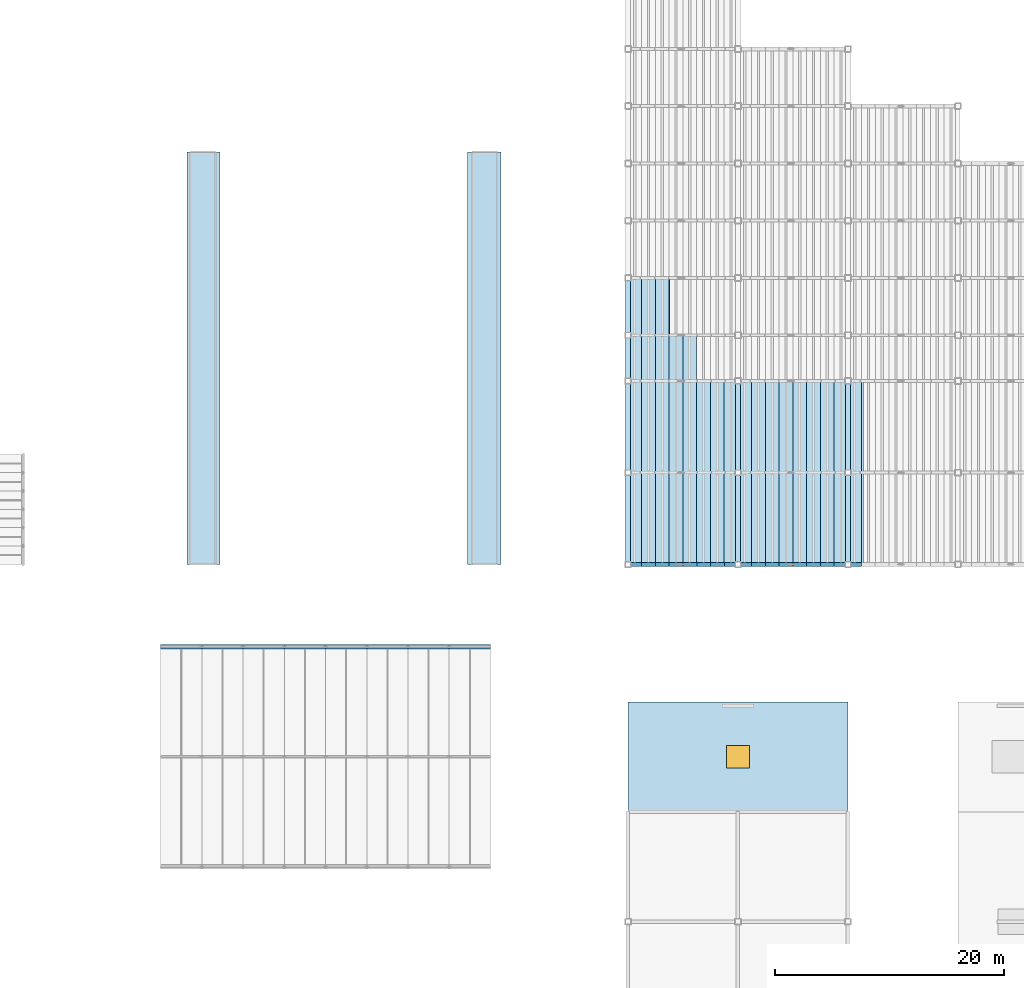
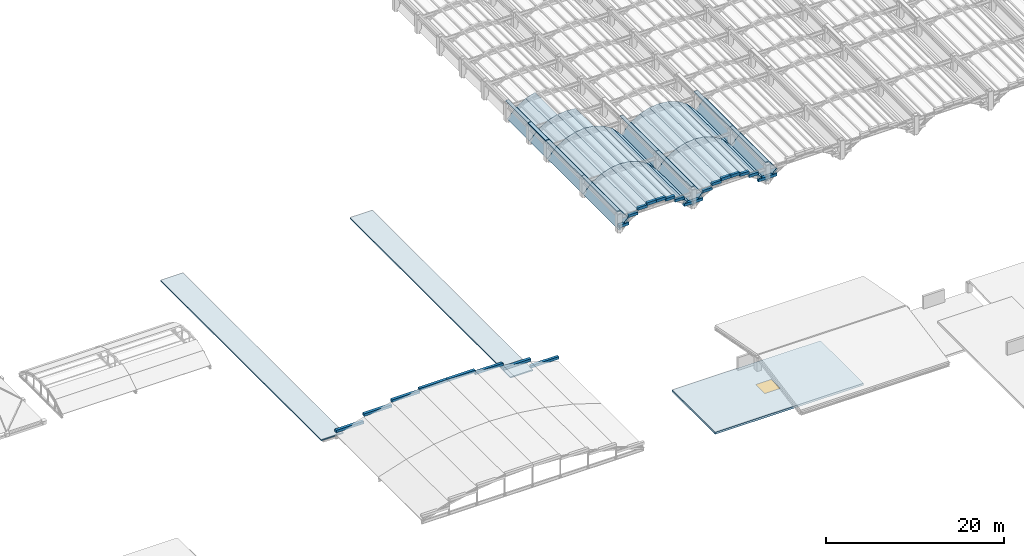
# One storey, part 32 of 70: 45 slabs, 33 plates, 1 window, 1 opening.
"""IFC4 building model written with IfcOpenShell, lengths in metres."""

from ifc_helpers import new_model, si_unit, direction, frame, origin, origin_2d, place, context, subcontext, project, spatial, polyline, rectangle, outline, extrude, material, layer, layer_set, type_object, element, fill, save


model = new_model("IFC4")

# Units and contexts
model_context = context("Model", 3, precision=1e-05, world=origin(), true_north=direction((0.0, 1.0)))
body_context = subcontext(model_context, "Body", "Model", "MODEL_VIEW")
ifc_project = project(units=[si_unit("LENGTHUNIT", "METRE"), si_unit("AREAUNIT", "SQUARE_METRE"), si_unit("VOLUMEUNIT", "CUBIC_METRE"), si_unit("PLANEANGLEUNIT", "RADIAN"), si_unit("MASSUNIT", "GRAM", prefix="KILO")], contexts=[model_context])

# Site, building, storey
site_placement = place(None, origin())
site = spatial("IfcSite", under=ifc_project, at=site_placement, CompositionType="ELEMENT")
building_placement = place(site_placement, origin())
building = spatial("IfcBuilding", under=site, at=building_placement, Name="Mavantir Sound Aquarium", CompositionType="ELEMENT")
storey_placement = place(building_placement, frame((0.0, 0.0, 27.0)))
storey = spatial("IfcBuildingStorey", under=building, at=storey_placement, Name="RF", CompositionType="ELEMENT", Elevation=27.0)

# Plates
ifc_material_1 = material(Name="Patinated Bronze-Copper Architectural Fascia", Category="metal")
ifc_layer_1 = layer(ifc_material_1, 0.179931640625, Name="Patinated Bronze-Copper Architectural Fascia")
ifc_layer_set_1 = layer_set([ifc_layer_1], Name="Patinated Bronze-Copper Architectural Fascia")
plate_type = type_object("IfcPlateType", Name="PLT-FASCIA-BZ", PredefinedType="SHEET", material=ifc_layer_set_1)
for number, where, z_axis, x_axis, name in (
    (1, (108.0, 44.800048828125, -4.52001953125), (0.0, 0.0, 1.0), (1.0, 0.0, 0.0), "Scalloped roof bronze ridge fascia 1"),
    (2, (108.0, 52.800048828125, -4.52001953125), (0.0, 0.0, 1.0), (1.0, 0.0, 0.0), "Scalloped roof bronze ridge fascia 2"),
):
    element("IfcPlate", number, at=place(storey_placement, frame(where, z_axis=z_axis, x_axis=x_axis)), inside=storey, type_object=plate_type, Name=name, PredefinedType="SHEET", context=body_context, shape_type="SweptSolid", body=[
        extrude(rectangle(XDim=0.419921875, YDim=8.0, at=origin_2d()), origin(), (0.0, 0.0, 1.0), 0.139892578125),
    ])
plate_1_placement = place(storey_placement, frame((108.0, 58.800048828125, -4.52001953125), z_axis=(0.0, 0.0, 1.0), x_axis=(1.0, 0.0, 0.0)))
element("IfcPlate", 3, at=plate_1_placement, inside=storey, type_object=plate_type, Name="Scalloped roof bronze ridge fascia 3", PredefinedType="SHEET", context=body_context, shape_type="SweptSolid", body=[
    extrude(rectangle(XDim=0.419921875, YDim=4.0, at=origin_2d()), origin(), (0.0, 0.0, 1.0), 0.139892578125),
])
plate_2_placement = place(storey_placement, frame((108.0, 63.300048828125, -4.52001953125), z_axis=(0.0, 0.0, 1.0), x_axis=(1.0, 0.0, 0.0)))
element("IfcPlate", 4, at=plate_2_placement, inside=storey, type_object=plate_type, Name="Scalloped roof bronze ridge fascia 4", PredefinedType="SHEET", context=body_context, shape_type="SweptSolid", body=[
    extrude(rectangle(XDim=0.419921875, YDim=5.0, at=origin_2d()), origin(), (0.0, 0.0, 1.0), 0.139892578125),
])
for number, where, z_axis, x_axis, name in (
    (5, (117.60009765625, 44.800048828125, -4.52001953125), (0.0, 0.0, 1.0), (1.0, 0.0, 0.0), "Scalloped roof bronze ridge fascia 10"),
    (6, (117.60009765625, 52.800048828125, -4.52001953125), (0.0, 0.0, 1.0), (1.0, 0.0, 0.0), "Scalloped roof bronze ridge fascia 11"),
    (7, (127.199951171875, 44.800048828125, -4.52001953125), (0.0, 0.0, 1.0), (1.0, 0.0, 0.0), "Scalloped roof bronze ridge fascia 19"),
    (8, (127.199951171875, 52.800048828125, -4.52001953125), (0.0, 0.0, 1.0), (1.0, 0.0, 0.0), "Scalloped roof bronze ridge fascia 20"),
):
    element("IfcPlate", number, at=place(storey_placement, frame(where, z_axis=z_axis, x_axis=x_axis)), inside=storey, type_object=plate_type, Name=name, PredefinedType="SHEET", context=body_context, shape_type="SweptSolid", body=[
        extrude(rectangle(XDim=0.419921875, YDim=8.0, at=origin_2d()), origin(), (0.0, 0.0, 1.0), 0.139892578125),
    ])
for number, where, z_axis, x_axis, name in (
    (9, (108.60009765625, 40.800048828125, -6.638671875), (0.0, 0.0, 1.0), (1.0, 0.0, 0.0), "Scalloped bay 1 curved bronze end fascia 52"),
    (10, (109.800048828125, 40.800048828125, -5.6455078125), (0.0, 0.0, 1.0), (1.0, 0.0, 0.0), "Scalloped bay 1 curved bronze end fascia 53"),
    (11, (111.0, 40.800048828125, -5.08935546875), (0.0, 0.0, 1.0), (1.0, 0.0, 0.0), "Scalloped bay 1 curved bronze end fascia 54"),
    (12, (112.199951171875, 40.800048828125, -4.83203125), (0.0, 0.0, 1.0), (1.0, 0.0, 0.0), "Scalloped bay 1 curved bronze end fascia 55"),
    (13, (113.39990234375, 40.800048828125, -4.83203125), (0.0, 0.0, 1.0), (1.0, 0.0, 0.0), "Scalloped bay 1 curved bronze end fascia 56"),
    (14, (114.60009765625, 40.800048828125, -5.08935546875), (0.0, 0.0, 1.0), (1.0, 0.0, 0.0), "Scalloped bay 1 curved bronze end fascia 57"),
    (15, (115.800048828125, 40.800048828125, -5.6455078125), (0.0, 0.0, 1.0), (1.0, 0.0, 0.0), "Scalloped bay 1 curved bronze end fascia 58"),
    (16, (117.0, 40.800048828125, -6.638671875), (0.0, 0.0, 1.0), (1.0, 0.0, 0.0), "Scalloped bay 1 curved bronze end fascia 59"),
    (17, (118.199951171875, 40.800048828125, -6.638671875), (0.0, 0.0, 1.0), (1.0, 0.0, 0.0), "Scalloped bay 2 curved bronze end fascia 68"),
    (18, (119.39990234375, 40.800048828125, -5.6455078125), (0.0, 0.0, 1.0), (1.0, 0.0, 0.0), "Scalloped bay 2 curved bronze end fascia 69"),
    (19, (120.60009765625, 40.800048828125, -5.08935546875), (0.0, 0.0, 1.0), (1.0, 0.0, 0.0), "Scalloped bay 2 curved bronze end fascia 70"),
    (20, (121.800048828125, 40.800048828125, -4.83203125), (0.0, 0.0, 1.0), (1.0, 0.0, 0.0), "Scalloped bay 2 curved bronze end fascia 71"),
    (21, (123.0, 40.800048828125, -4.83203125), (0.0, 0.0, 1.0), (1.0, 0.0, 0.0), "Scalloped bay 2 curved bronze end fascia 72"),
    (22, (124.199951171875, 40.800048828125, -5.08935546875), (0.0, 0.0, 1.0), (1.0, 0.0, 0.0), "Scalloped bay 2 curved bronze end fascia 73"),
    (23, (125.39990234375, 40.800048828125, -5.6455078125), (0.0, 0.0, 1.0), (1.0, 0.0, 0.0), "Scalloped bay 2 curved bronze end fascia 74"),
    (24, (126.60009765625, 40.800048828125, -6.638671875), (0.0, 0.0, 1.0), (1.0, 0.0, 0.0), "Scalloped bay 2 curved bronze end fascia 75"),
    (25, (127.800048828125, 40.800048828125, -6.638671875), (0.0, 0.0, 1.0), (1.0, 0.0, 0.0), "Scalloped bay 3 curved bronze end fascia 84"),
):
    element("IfcPlate", number, at=place(storey_placement, frame(where, z_axis=z_axis, x_axis=x_axis)), inside=storey, type_object=plate_type, Name=name, PredefinedType="SHEET", context=body_context, shape_type="SweptSolid", body=[
        extrude(rectangle(XDim=1.219970703125, YDim=0.360107421875, at=origin_2d()), origin(), (0.0, 0.0, 1.0), 0.360107421875),
    ])
for number, where, z_axis, x_axis, name in (
    (26, (69.0, 33.60009765625, -16.0107421875), (0.0, 0.0, 1.0), (1.0, 0.0, 0.0), "Forecourt entry vault bronze fascia 172"),
    (27, (72.60009765625, 33.60009765625, -15.02783203125), (0.0, 0.0, 1.0), (1.0, 0.0, 0.0), "Forecourt entry vault bronze fascia 173"),
    (28, (76.199951171875, 33.60009765625, -14.38623046875), (0.0, 0.0, 1.0), (1.0, 0.0, 0.0), "Forecourt entry vault bronze fascia 174"),
    (29, (79.800048828125, 33.60009765625, -14.06884765625), (0.0, 0.0, 1.0), (1.0, 0.0, 0.0), "Forecourt entry vault bronze fascia 175"),
    (30, (83.39990234375, 33.60009765625, -14.06884765625), (0.0, 0.0, 1.0), (1.0, 0.0, 0.0), "Forecourt entry vault bronze fascia 176"),
    (31, (87.0, 33.60009765625, -14.38623046875), (0.0, 0.0, 1.0), (1.0, 0.0, 0.0), "Forecourt entry vault bronze fascia 177"),
    (32, (90.60009765625, 33.60009765625, -15.02783203125), (0.0, 0.0, 1.0), (1.0, 0.0, 0.0), "Forecourt entry vault bronze fascia 178"),
    (33, (94.199951171875, 33.60009765625, -16.0107421875), (0.0, 0.0, 1.0), (1.0, 0.0, 0.0), "Forecourt entry vault bronze fascia 179"),
):
    element("IfcPlate", number, at=place(storey_placement, frame(where, z_axis=z_axis, x_axis=x_axis)), inside=storey, type_object=plate_type, Name=name, PredefinedType="SHEET", context=body_context, shape_type="SweptSolid", body=[
        extrude(rectangle(XDim=3.60009765625, YDim=0.360107421875, at=origin_2d()), origin(), (0.0, 0.0, 1.0), 0.340087890625),
    ])

# Slabs
ifc_material_2 = material(Name="Concrete C40/50", Category="concrete")
ifc_layer_2 = layer(ifc_material_2, 0.159912109375, Name="Concrete C40/50")
ifc_layer_set_2 = layer_set([ifc_layer_2], Name="Concrete C40/50")
slab_type_1 = type_object("IfcSlabType", Name="SLB-RF-CN", PredefinedType="ROOF", material=ifc_layer_set_2)
slab_1_placement = place(storey_placement, frame((0.0, 0.0, -22.39990234375)))
element("IfcSlab", 34, at=slab_1_placement, inside=storey, type_object=slab_type_1, Name="Tidal court colonnade canopy roof W", PredefinedType="ROOF", context=body_context, shape_type="SweptSolid", body=[
    extrude(outline(polyline([(69.5, 40.800048828125), (72.39990234375, 40.800048828125), (72.39990234375, 76.800048828125), (69.5, 76.800048828125), (69.5, 40.800048828125)])), origin(), (0.0, 0.0, 1.0), 0.159912109375),
])
slab_2_placement = place(storey_placement, frame((0.0, 0.0, -22.39990234375)))
element("IfcSlab", 35, at=slab_2_placement, inside=storey, type_object=slab_type_1, Name="Tidal court colonnade canopy roof E", PredefinedType="ROOF", context=body_context, shape_type="SweptSolid", body=[
    extrude(outline(polyline([(94.0, 40.800048828125), (96.89990234375, 40.800048828125), (96.89990234375, 76.800048828125), (94.0, 76.800048828125), (94.0, 40.800048828125)])), origin(), (0.0, 0.0, 1.0), 0.159912109375),
])

# Slab, opening, window
ifc_layer_3 = layer(ifc_material_2, 0.280029296875, Name="Concrete C40/50")
ifc_layer_set_3 = layer_set([ifc_layer_3], Name="Concrete C40/50")
slab_type_2 = type_object("IfcSlabType", Name="SLB-RF-PD", PredefinedType="ROOF", material=ifc_layer_set_3)
slab_3_placement = place(storey_placement, frame((0.0, 0.0, -21.8798828125)))
slab_3 = element("IfcSlab", 36, at=slab_3_placement, inside=storey, type_object=slab_type_2, Name="Flat insulated roof deck RF-FLAT-V6NW", PredefinedType="ROOF", context=body_context, shape_type="SweptSolid", body=[
    extrude(outline(polyline([(108.0, 19.199951171875), (127.199951171875, 19.199951171875), (127.199951171875, 28.800048828125), (108.0, 28.800048828125), (108.0, 19.199951171875)])), origin(), (0.0, 0.0, 1.0), 0.27978515625),
])
opening_placement = place(slab_3_placement, frame((117.60009765625, 24.0, -0.010009765625)))
opening = element("IfcOpeningElement", 37, at=opening_placement, cuts=slab_3, Name="Opening SK-04", PredefinedType="OPENING", context=body_context, shape_type="SweptSolid", body=[
    extrude(rectangle(XDim=2.0, YDim=2.0, at=origin_2d()), origin(), (0.0, 0.0, 1.0), 0.2998046875),
])
ifc_material_3 = material(Name="Laminated Hurricane-Impact Low-E Skylight Glass", Category="glass")
window_type = type_object("IfcWindowType", Name="SKY-04", PartitioningType="SINGLE_PANEL", PredefinedType="SKYLIGHT", material=ifc_material_3)
window_placement = place(slab_3_placement, frame((117.60009765625, 24.0, 0.229736328125)))
window = element("IfcWindow", 38, at=window_placement, inside=storey, type_object=window_type, Name="Hurricane-rated roof skylight 4", OverallHeight=2.0, OverallWidth=2.0, PartitioningType="SINGLE_PANEL", PredefinedType="SKYLIGHT", context=body_context, shape_type="SweptSolid", body=[
    extrude(rectangle(XDim=2.0, YDim=2.0, at=origin_2d()), origin(), (0.0, 0.0, 1.0), 0.050048828125),
])
fill(opening, window)

# Slabs
ifc_layer_4 = layer(ifc_material_2, 0.219970703125, Name="Concrete C40/50")
ifc_layer_set_4 = layer_set([ifc_layer_4], Name="Concrete C40/50")
slab_type_3 = type_object("IfcSlabType", Name="SLB-RF-SC", PredefinedType="ROOF", material=ifc_layer_set_4)
slab_4_placement = place(storey_placement, frame((108.0, 40.800048828125, -6.97998046875), z_axis=(-0.725020424784, 0.0, 0.688727365252), x_axis=(0.688727365252, 0.0, 0.725020424784)))
element("IfcSlab", 39, at=slab_4_placement, inside=storey, type_object=slab_type_3, Name="Scalloped bay 1 sagging-arc roof panel 1", PredefinedType="ROOF", context=body_context, shape_type="SweptSolid", body=[
    extrude(outline(polyline([(0.0, 0.0), (1.74227311475651, 0.0), (1.74227311475651, 8.0), (0.0, 8.0), (0.0, 0.0)])), origin(), (0.0, 0.0, -1.0), 0.219970703125),
])
slab_5_placement = place(storey_placement, frame((109.199951171875, 40.800048828125, -5.716796875), z_axis=(-0.515904776109, 0.0, 0.856645937356), x_axis=(0.856645937356, 0.0, 0.515904776109)))
element("IfcSlab", 40, at=slab_5_placement, inside=storey, type_object=slab_type_3, Name="Scalloped bay 1 sagging-arc roof panel 2", PredefinedType="ROOF", context=body_context, shape_type="SweptSolid", body=[
    extrude(outline(polyline([(0.0, 0.0), (1.4007551072718774, 0.0), (1.4007551072718774, 8.0), (0.0, 8.0), (0.0, 0.0)])), origin(), (0.0, 0.0, -1.0), 0.219970703125),
])
slab_6_placement = place(storey_placement, frame((110.39990234375, 40.800048828125, -4.994140625), z_axis=(-0.30896358205, 0.0, 0.951073869353), x_axis=(0.951073869353, 0.0, 0.30896358205)))
element("IfcSlab", 41, at=slab_6_placement, inside=storey, type_object=slab_type_3, Name="Scalloped bay 1 sagging-arc roof panel 3", PredefinedType="ROOF", context=body_context, shape_type="SweptSolid", body=[
    extrude(outline(polyline([(0.0, 0.0), (1.261937007391388, 0.0), (1.261937007391388, 7.999999999999999), (0.0, 7.999999999999999), (0.0, 0.0)])), origin(), (0.0, 0.0, -1.0), 0.219970703125),
])
for number, where, z_axis, x_axis, name in (
    (42, (111.60009765625, 40.800048828125, -4.604248046875), (-0.103009624196, 0.0, 0.994680359373), (0.994680359373, 0.0, 0.103009624196), "Scalloped bay 1 sagging-arc roof panel 4"),
    (43, (112.800048828125, 40.800048828125, -4.47998046875), (0.103009624196, 0.0, 0.994680359373), (0.994680359373, 0.0, -0.103009624196), "Scalloped bay 1 sagging-arc roof panel 5"),
):
    element("IfcSlab", number, at=place(storey_placement, frame(where, z_axis=z_axis, x_axis=x_axis)), inside=storey, type_object=slab_type_3, Name=name, PredefinedType="ROOF", context=body_context, shape_type="SweptSolid", body=[
        extrude(outline(polyline([(0.0, 0.0), (1.206368619393442, 0.0), (1.206368619393442, 8.000000000000002), (0.0, 8.000000000000002), (0.0, 0.0)])), origin(), (0.0, 0.0, -1.0), 0.219970703125),
    ])
slab_7_placement = place(storey_placement, frame((114.0, 40.800048828125, -4.604248046875), z_axis=(0.309020441102, 0.0, 0.951055396379), x_axis=(0.951055396379, 0.0, -0.309020441102)))
element("IfcSlab", 44, at=slab_7_placement, inside=storey, type_object=slab_type_3, Name="Scalloped bay 1 sagging-arc roof panel 6", PredefinedType="ROOF", context=body_context, shape_type="SweptSolid", body=[
    extrude(outline(polyline([(0.0, 0.0), (1.2617048138772973, 0.0), (1.2617048138772973, 8.000000000000002), (0.0, 8.000000000000002), (0.0, 0.0)])), origin(), (0.0, 0.0, -1.0), 0.219970703125),
])
slab_8_placement = place(storey_placement, frame((115.199951171875, 40.800048828125, -4.994140625), z_axis=(0.515904776109, 0.0, 0.856645937356), x_axis=(0.856645937356, 0.0, -0.515904776109)))
element("IfcSlab", 45, at=slab_8_placement, inside=storey, type_object=slab_type_3, Name="Scalloped bay 1 sagging-arc roof panel 7", PredefinedType="ROOF", context=body_context, shape_type="SweptSolid", body=[
    extrude(outline(polyline([(0.0, 0.0), (1.4007551072718774, 0.0), (1.4007551072718774, 8.0), (0.0, 8.0), (0.0, 0.0)])), origin(), (0.0, 0.0, -1.0), 0.219970703125),
])
slab_9_placement = place(storey_placement, frame((116.39990234375, 40.800048828125, -5.716796875), z_axis=(0.724950456261, 0.0, 0.688801013332), x_axis=(0.688801013332, 0.0, -0.724950456261)))
element("IfcSlab", 46, at=slab_9_placement, inside=storey, type_object=slab_type_3, Name="Scalloped bay 1 sagging-arc roof panel 8", PredefinedType="ROOF", context=body_context, shape_type="SweptSolid", body=[
    extrude(outline(polyline([(0.0, 0.0), (1.7424412700765952, 0.0), (1.7424412700765952, 8.000000000000002), (0.0, 8.000000000000002), (0.0, 0.0)])), origin(), (0.0, 0.0, -1.0), 0.219970703125),
])
slab_10_placement = place(storey_placement, frame((108.0, 48.800048828125, -6.97998046875), z_axis=(-0.725020424784, 0.0, 0.688727365252), x_axis=(0.688727365252, 0.0, 0.725020424784)))
element("IfcSlab", 47, at=slab_10_placement, inside=storey, type_object=slab_type_3, Name="Scalloped bay 1 sagging-arc roof panel 9", PredefinedType="ROOF", context=body_context, shape_type="SweptSolid", body=[
    extrude(outline(polyline([(0.0, 0.0), (1.74227311475651, 0.0), (1.74227311475651, 8.0), (0.0, 8.0), (0.0, 0.0)])), origin(), (0.0, 0.0, -1.0), 0.219970703125),
])
slab_11_placement = place(storey_placement, frame((109.199951171875, 48.800048828125, -5.716796875), z_axis=(-0.515904776109, 0.0, 0.856645937356), x_axis=(0.856645937356, 0.0, 0.515904776109)))
element("IfcSlab", 48, at=slab_11_placement, inside=storey, type_object=slab_type_3, Name="Scalloped bay 1 sagging-arc roof panel 10", PredefinedType="ROOF", context=body_context, shape_type="SweptSolid", body=[
    extrude(outline(polyline([(0.0, 0.0), (1.4007551072718774, 0.0), (1.4007551072718774, 8.0), (0.0, 8.0), (0.0, 0.0)])), origin(), (0.0, 0.0, -1.0), 0.219970703125),
])
slab_12_placement = place(storey_placement, frame((110.39990234375, 48.800048828125, -4.994140625), z_axis=(-0.30896358205, 0.0, 0.951073869353), x_axis=(0.951073869353, 0.0, 0.30896358205)))
element("IfcSlab", 49, at=slab_12_placement, inside=storey, type_object=slab_type_3, Name="Scalloped bay 1 sagging-arc roof panel 11", PredefinedType="ROOF", context=body_context, shape_type="SweptSolid", body=[
    extrude(outline(polyline([(0.0, 0.0), (1.261937007391388, 0.0), (1.261937007391388, 7.999999999999999), (0.0, 7.999999999999999), (0.0, 0.0)])), origin(), (0.0, 0.0, -1.0), 0.219970703125),
])
for number, where, z_axis, x_axis, name in (
    (50, (111.60009765625, 48.800048828125, -4.604248046875), (-0.103009624196, 0.0, 0.994680359373), (0.994680359373, 0.0, 0.103009624196), "Scalloped bay 1 sagging-arc roof panel 12"),
    (51, (112.800048828125, 48.800048828125, -4.47998046875), (0.103009624196, 0.0, 0.994680359373), (0.994680359373, 0.0, -0.103009624196), "Scalloped bay 1 sagging-arc roof panel 13"),
):
    element("IfcSlab", number, at=place(storey_placement, frame(where, z_axis=z_axis, x_axis=x_axis)), inside=storey, type_object=slab_type_3, Name=name, PredefinedType="ROOF", context=body_context, shape_type="SweptSolid", body=[
        extrude(outline(polyline([(0.0, 0.0), (1.206368619393442, 0.0), (1.206368619393442, 8.000000000000002), (0.0, 8.000000000000002), (0.0, 0.0)])), origin(), (0.0, 0.0, -1.0), 0.219970703125),
    ])
slab_13_placement = place(storey_placement, frame((114.0, 48.800048828125, -4.604248046875), z_axis=(0.309020441102, 0.0, 0.951055396379), x_axis=(0.951055396379, 0.0, -0.309020441102)))
element("IfcSlab", 52, at=slab_13_placement, inside=storey, type_object=slab_type_3, Name="Scalloped bay 1 sagging-arc roof panel 14", PredefinedType="ROOF", context=body_context, shape_type="SweptSolid", body=[
    extrude(outline(polyline([(0.0, 0.0), (1.2617048138772973, 0.0), (1.2617048138772973, 8.000000000000002), (0.0, 8.000000000000002), (0.0, 0.0)])), origin(), (0.0, 0.0, -1.0), 0.219970703125),
])
slab_14_placement = place(storey_placement, frame((115.199951171875, 48.800048828125, -4.994140625), z_axis=(0.515904776109, 0.0, 0.856645937356), x_axis=(0.856645937356, 0.0, -0.515904776109)))
element("IfcSlab", 53, at=slab_14_placement, inside=storey, type_object=slab_type_3, Name="Scalloped bay 1 sagging-arc roof panel 15", PredefinedType="ROOF", context=body_context, shape_type="SweptSolid", body=[
    extrude(outline(polyline([(0.0, 0.0), (1.4007551072718774, 0.0), (1.4007551072718774, 8.0), (0.0, 8.0), (0.0, 0.0)])), origin(), (0.0, 0.0, -1.0), 0.219970703125),
])
slab_15_placement = place(storey_placement, frame((116.39990234375, 48.800048828125, -5.716796875), z_axis=(0.724950456261, 0.0, 0.688801013332), x_axis=(0.688801013332, 0.0, -0.724950456261)))
element("IfcSlab", 54, at=slab_15_placement, inside=storey, type_object=slab_type_3, Name="Scalloped bay 1 sagging-arc roof panel 16", PredefinedType="ROOF", context=body_context, shape_type="SweptSolid", body=[
    extrude(outline(polyline([(0.0, 0.0), (1.7424412700765952, 0.0), (1.7424412700765952, 8.000000000000002), (0.0, 8.000000000000002), (0.0, 0.0)])), origin(), (0.0, 0.0, -1.0), 0.219970703125),
])
slab_16_placement = place(storey_placement, frame((108.0, 56.800048828125, -6.97998046875), z_axis=(-0.725020424784, 0.0, 0.688727365252), x_axis=(0.688727365252, 0.0, 0.725020424784)))
element("IfcSlab", 55, at=slab_16_placement, inside=storey, type_object=slab_type_3, Name="Scalloped bay 1 sagging-arc roof panel 17", PredefinedType="ROOF", context=body_context, shape_type="SweptSolid", body=[
    extrude(outline(polyline([(0.0, 0.0), (1.74227311475651, 0.0), (1.74227311475651, 4.0), (0.0, 4.0), (0.0, 0.0)])), origin(), (0.0, 0.0, -1.0), 0.219970703125),
])
slab_17_placement = place(storey_placement, frame((109.199951171875, 56.800048828125, -5.716796875), z_axis=(-0.515904776109, 0.0, 0.856645937356), x_axis=(0.856645937356, 0.0, 0.515904776109)))
element("IfcSlab", 56, at=slab_17_placement, inside=storey, type_object=slab_type_3, Name="Scalloped bay 1 sagging-arc roof panel 18", PredefinedType="ROOF", context=body_context, shape_type="SweptSolid", body=[
    extrude(outline(polyline([(0.0, 0.0), (1.4007551072718774, 0.0), (1.4007551072718774, 4.0), (0.0, 4.0), (0.0, 0.0)])), origin(), (0.0, 0.0, -1.0), 0.219970703125),
])
slab_18_placement = place(storey_placement, frame((110.39990234375, 56.800048828125, -4.994140625), z_axis=(-0.30896358205, 0.0, 0.951073869353), x_axis=(0.951073869353, 0.0, 0.30896358205)))
element("IfcSlab", 57, at=slab_18_placement, inside=storey, type_object=slab_type_3, Name="Scalloped bay 1 sagging-arc roof panel 19", PredefinedType="ROOF", context=body_context, shape_type="SweptSolid", body=[
    extrude(outline(polyline([(0.0, 0.0), (1.261937007391388, 0.0), (1.261937007391388, 3.9999999999999996), (0.0, 3.9999999999999996), (0.0, 0.0)])), origin(), (0.0, 0.0, -1.0), 0.219970703125),
])
for number, where, z_axis, x_axis, name in (
    (58, (111.60009765625, 56.800048828125, -4.604248046875), (-0.103009624196, 0.0, 0.994680359373), (0.994680359373, 0.0, 0.103009624196), "Scalloped bay 1 sagging-arc roof panel 20"),
    (59, (112.800048828125, 56.800048828125, -4.47998046875), (0.103009624196, 0.0, 0.994680359373), (0.994680359373, 0.0, -0.103009624196), "Scalloped bay 1 sagging-arc roof panel 21"),
):
    element("IfcSlab", number, at=place(storey_placement, frame(where, z_axis=z_axis, x_axis=x_axis)), inside=storey, type_object=slab_type_3, Name=name, PredefinedType="ROOF", context=body_context, shape_type="SweptSolid", body=[
        extrude(outline(polyline([(0.0, 0.0), (1.206368619393442, 0.0), (1.206368619393442, 4.000000000000001), (0.0, 4.000000000000001), (0.0, 0.0)])), origin(), (0.0, 0.0, -1.0), 0.219970703125),
    ])
slab_19_placement = place(storey_placement, frame((108.0, 60.800048828125, -6.97998046875), z_axis=(-0.725020424784, 0.0, 0.688727365252), x_axis=(0.688727365252, 0.0, 0.725020424784)))
element("IfcSlab", 60, at=slab_19_placement, inside=storey, type_object=slab_type_3, Name="Scalloped bay 1 sagging-arc roof panel 25", PredefinedType="ROOF", context=body_context, shape_type="SweptSolid", body=[
    extrude(outline(polyline([(0.0, 0.0), (1.74227311475651, 0.0), (1.74227311475651, 5.0), (0.0, 5.0), (0.0, 0.0)])), origin(), (0.0, 0.0, -1.0), 0.219970703125),
])
slab_20_placement = place(storey_placement, frame((109.199951171875, 60.800048828125, -5.716796875), z_axis=(-0.515904776109, 0.0, 0.856645937356), x_axis=(0.856645937356, 0.0, 0.515904776109)))
element("IfcSlab", 61, at=slab_20_placement, inside=storey, type_object=slab_type_3, Name="Scalloped bay 1 sagging-arc roof panel 26", PredefinedType="ROOF", context=body_context, shape_type="SweptSolid", body=[
    extrude(outline(polyline([(0.0, 0.0), (1.4007551072718774, 0.0), (1.4007551072718774, 5.0), (0.0, 5.0), (0.0, 0.0)])), origin(), (0.0, 0.0, -1.0), 0.219970703125),
])
slab_21_placement = place(storey_placement, frame((110.39990234375, 60.800048828125, -4.994140625), z_axis=(-0.30896358205, 0.0, 0.951073869353), x_axis=(0.951073869353, 0.0, 0.30896358205)))
element("IfcSlab", 62, at=slab_21_placement, inside=storey, type_object=slab_type_3, Name="Scalloped bay 1 sagging-arc roof panel 27", PredefinedType="ROOF", context=body_context, shape_type="SweptSolid", body=[
    extrude(outline(polyline([(0.0, 0.0), (1.261937007391388, 0.0), (1.261937007391388, 5.0), (0.0, 5.0), (0.0, 0.0)])), origin(), (0.0, 0.0, -1.0), 0.219970703125),
])
slab_22_placement = place(storey_placement, frame((117.60009765625, 40.800048828125, -6.97998046875), z_axis=(-0.725020424784, 0.0, 0.688727365252), x_axis=(0.688727365252, 0.0, 0.725020424784)))
element("IfcSlab", 63, at=slab_22_placement, inside=storey, type_object=slab_type_3, Name="Scalloped bay 2 sagging-arc roof panel 73", PredefinedType="ROOF", context=body_context, shape_type="SweptSolid", body=[
    extrude(outline(polyline([(0.0, 0.0), (1.74227311475651, 0.0), (1.74227311475651, 8.0), (0.0, 8.0), (0.0, 0.0)])), origin(), (0.0, 0.0, -1.0), 0.219970703125),
])
slab_23_placement = place(storey_placement, frame((118.800048828125, 40.800048828125, -5.716796875), z_axis=(-0.515904776109, 0.0, 0.856645937356), x_axis=(0.856645937356, 0.0, 0.515904776109)))
element("IfcSlab", 64, at=slab_23_placement, inside=storey, type_object=slab_type_3, Name="Scalloped bay 2 sagging-arc roof panel 74", PredefinedType="ROOF", context=body_context, shape_type="SweptSolid", body=[
    extrude(outline(polyline([(0.0, 0.0), (1.4007551072718774, 0.0), (1.4007551072718774, 8.0), (0.0, 8.0), (0.0, 0.0)])), origin(), (0.0, 0.0, -1.0), 0.219970703125),
])
slab_24_placement = place(storey_placement, frame((120.0, 40.800048828125, -4.994140625), z_axis=(-0.309020441102, 0.0, 0.951055396379), x_axis=(0.951055396379, 0.0, 0.309020441102)))
element("IfcSlab", 65, at=slab_24_placement, inside=storey, type_object=slab_type_3, Name="Scalloped bay 2 sagging-arc roof panel 75", PredefinedType="ROOF", context=body_context, shape_type="SweptSolid", body=[
    extrude(outline(polyline([(0.0, 0.0), (1.2617048138772973, 0.0), (1.2617048138772973, 8.000000000000002), (0.0, 8.000000000000002), (0.0, 0.0)])), origin(), (0.0, 0.0, -1.0), 0.219970703125),
])
slab_25_placement = place(storey_placement, frame((121.199951171875, 40.800048828125, -4.604248046875), z_axis=(-0.103009624196, 0.0, 0.994680359373), x_axis=(0.994680359373, 0.0, 0.103009624196)))
element("IfcSlab", 66, at=slab_25_placement, inside=storey, type_object=slab_type_3, Name="Scalloped bay 2 sagging-arc roof panel 76", PredefinedType="ROOF", context=body_context, shape_type="SweptSolid", body=[
    extrude(outline(polyline([(0.0, 0.0), (1.206368619393442, 0.0), (1.206368619393442, 8.000000000000002), (0.0, 8.000000000000002), (0.0, 0.0)])), origin(), (0.0, 0.0, -1.0), 0.219970703125),
])
slab_26_placement = place(storey_placement, frame((122.39990234375, 40.800048828125, -4.47998046875), z_axis=(0.102988892519, 0.0, 0.994682506138), x_axis=(0.994682506138, 0.0, -0.102988892519)))
element("IfcSlab", 67, at=slab_26_placement, inside=storey, type_object=slab_type_3, Name="Scalloped bay 2 sagging-arc roof panel 77", PredefinedType="ROOF", context=body_context, shape_type="SweptSolid", body=[
    extrude(outline(polyline([(0.0, 0.0), (1.206611461540137, 0.0), (1.206611461540137, 8.0), (0.0, 8.0), (0.0, 0.0)])), origin(), (0.0, 0.0, -1.0), 0.219970703125),
])
slab_27_placement = place(storey_placement, frame((123.60009765625, 40.800048828125, -4.604248046875), z_axis=(0.309020441102, 0.0, 0.951055396379), x_axis=(0.951055396379, 0.0, -0.309020441102)))
element("IfcSlab", 68, at=slab_27_placement, inside=storey, type_object=slab_type_3, Name="Scalloped bay 2 sagging-arc roof panel 78", PredefinedType="ROOF", context=body_context, shape_type="SweptSolid", body=[
    extrude(outline(polyline([(0.0, 0.0), (1.2617048138772973, 0.0), (1.2617048138772973, 8.000000000000002), (0.0, 8.000000000000002), (0.0, 0.0)])), origin(), (0.0, 0.0, -1.0), 0.219970703125),
])
slab_28_placement = place(storey_placement, frame((124.800048828125, 40.800048828125, -4.994140625), z_axis=(0.515904776109, 0.0, 0.856645937356), x_axis=(0.856645937356, 0.0, -0.515904776109)))
element("IfcSlab", 69, at=slab_28_placement, inside=storey, type_object=slab_type_3, Name="Scalloped bay 2 sagging-arc roof panel 79", PredefinedType="ROOF", context=body_context, shape_type="SweptSolid", body=[
    extrude(outline(polyline([(0.0, 0.0), (1.4007551072718774, 0.0), (1.4007551072718774, 8.0), (0.0, 8.0), (0.0, 0.0)])), origin(), (0.0, 0.0, -1.0), 0.219970703125),
])
for number, where, z_axis, x_axis, name in (
    (70, (126.0, 40.800048828125, -5.716796875), (0.725020424784, 0.0, 0.688727365252), (0.688727365252, 0.0, -0.725020424784), "Scalloped bay 2 sagging-arc roof panel 80"),
    (71, (117.60009765625, 48.800048828125, -6.97998046875), (-0.725020424784, 0.0, 0.688727365252), (0.688727365252, 0.0, 0.725020424784), "Scalloped bay 2 sagging-arc roof panel 81"),
):
    element("IfcSlab", number, at=place(storey_placement, frame(where, z_axis=z_axis, x_axis=x_axis)), inside=storey, type_object=slab_type_3, Name=name, PredefinedType="ROOF", context=body_context, shape_type="SweptSolid", body=[
        extrude(outline(polyline([(0.0, 0.0), (1.74227311475651, 0.0), (1.74227311475651, 8.0), (0.0, 8.0), (0.0, 0.0)])), origin(), (0.0, 0.0, -1.0), 0.219970703125),
    ])
slab_29_placement = place(storey_placement, frame((118.800048828125, 48.800048828125, -5.716796875), z_axis=(-0.515904776109, 0.0, 0.856645937356), x_axis=(0.856645937356, 0.0, 0.515904776109)))
element("IfcSlab", 72, at=slab_29_placement, inside=storey, type_object=slab_type_3, Name="Scalloped bay 2 sagging-arc roof panel 82", PredefinedType="ROOF", context=body_context, shape_type="SweptSolid", body=[
    extrude(outline(polyline([(0.0, 0.0), (1.4007551072718774, 0.0), (1.4007551072718774, 8.0), (0.0, 8.0), (0.0, 0.0)])), origin(), (0.0, 0.0, -1.0), 0.219970703125),
])
slab_30_placement = place(storey_placement, frame((120.0, 48.800048828125, -4.994140625), z_axis=(-0.309020441102, 0.0, 0.951055396379), x_axis=(0.951055396379, 0.0, 0.309020441102)))
element("IfcSlab", 73, at=slab_30_placement, inside=storey, type_object=slab_type_3, Name="Scalloped bay 2 sagging-arc roof panel 83", PredefinedType="ROOF", context=body_context, shape_type="SweptSolid", body=[
    extrude(outline(polyline([(0.0, 0.0), (1.2617048138772973, 0.0), (1.2617048138772973, 8.000000000000002), (0.0, 8.000000000000002), (0.0, 0.0)])), origin(), (0.0, 0.0, -1.0), 0.219970703125),
])
slab_31_placement = place(storey_placement, frame((121.199951171875, 48.800048828125, -4.604248046875), z_axis=(-0.103009624196, 0.0, 0.994680359373), x_axis=(0.994680359373, 0.0, 0.103009624196)))
element("IfcSlab", 74, at=slab_31_placement, inside=storey, type_object=slab_type_3, Name="Scalloped bay 2 sagging-arc roof panel 84", PredefinedType="ROOF", context=body_context, shape_type="SweptSolid", body=[
    extrude(outline(polyline([(0.0, 0.0), (1.206368619393442, 0.0), (1.206368619393442, 8.000000000000002), (0.0, 8.000000000000002), (0.0, 0.0)])), origin(), (0.0, 0.0, -1.0), 0.219970703125),
])
slab_32_placement = place(storey_placement, frame((122.39990234375, 48.800048828125, -4.47998046875), z_axis=(0.102988892519, 0.0, 0.994682506138), x_axis=(0.994682506138, 0.0, -0.102988892519)))
element("IfcSlab", 75, at=slab_32_placement, inside=storey, type_object=slab_type_3, Name="Scalloped bay 2 sagging-arc roof panel 85", PredefinedType="ROOF", context=body_context, shape_type="SweptSolid", body=[
    extrude(outline(polyline([(0.0, 0.0), (1.206611461540137, 0.0), (1.206611461540137, 8.0), (0.0, 8.0), (0.0, 0.0)])), origin(), (0.0, 0.0, -1.0), 0.219970703125),
])
slab_33_placement = place(storey_placement, frame((123.60009765625, 48.800048828125, -4.604248046875), z_axis=(0.309020441102, 0.0, 0.951055396379), x_axis=(0.951055396379, 0.0, -0.309020441102)))
element("IfcSlab", 76, at=slab_33_placement, inside=storey, type_object=slab_type_3, Name="Scalloped bay 2 sagging-arc roof panel 86", PredefinedType="ROOF", context=body_context, shape_type="SweptSolid", body=[
    extrude(outline(polyline([(0.0, 0.0), (1.2617048138772973, 0.0), (1.2617048138772973, 8.000000000000002), (0.0, 8.000000000000002), (0.0, 0.0)])), origin(), (0.0, 0.0, -1.0), 0.219970703125),
])
slab_34_placement = place(storey_placement, frame((124.800048828125, 48.800048828125, -4.994140625), z_axis=(0.515904776109, 0.0, 0.856645937356), x_axis=(0.856645937356, 0.0, -0.515904776109)))
element("IfcSlab", 77, at=slab_34_placement, inside=storey, type_object=slab_type_3, Name="Scalloped bay 2 sagging-arc roof panel 87", PredefinedType="ROOF", context=body_context, shape_type="SweptSolid", body=[
    extrude(outline(polyline([(0.0, 0.0), (1.4007551072718774, 0.0), (1.4007551072718774, 8.0), (0.0, 8.0), (0.0, 0.0)])), origin(), (0.0, 0.0, -1.0), 0.219970703125),
])
for number, where, z_axis, x_axis, name in (
    (78, (126.0, 48.800048828125, -5.716796875), (0.725020424784, 0.0, 0.688727365252), (0.688727365252, 0.0, -0.725020424784), "Scalloped bay 2 sagging-arc roof panel 88"),
    (79, (127.199951171875, 40.800048828125, -6.97998046875), (-0.725020424784, 0.0, 0.688727365252), (0.688727365252, 0.0, 0.725020424784), "Scalloped bay 3 sagging-arc roof panel 137"),
    (80, (127.199951171875, 48.800048828125, -6.97998046875), (-0.725020424784, 0.0, 0.688727365252), (0.688727365252, 0.0, 0.725020424784), "Scalloped bay 3 sagging-arc roof panel 145"),
):
    element("IfcSlab", number, at=place(storey_placement, frame(where, z_axis=z_axis, x_axis=x_axis)), inside=storey, type_object=slab_type_3, Name=name, PredefinedType="ROOF", context=body_context, shape_type="SweptSolid", body=[
        extrude(outline(polyline([(0.0, 0.0), (1.74227311475651, 0.0), (1.74227311475651, 8.0), (0.0, 8.0), (0.0, 0.0)])), origin(), (0.0, 0.0, -1.0), 0.219970703125),
    ])

save(model, "model.ifc")
